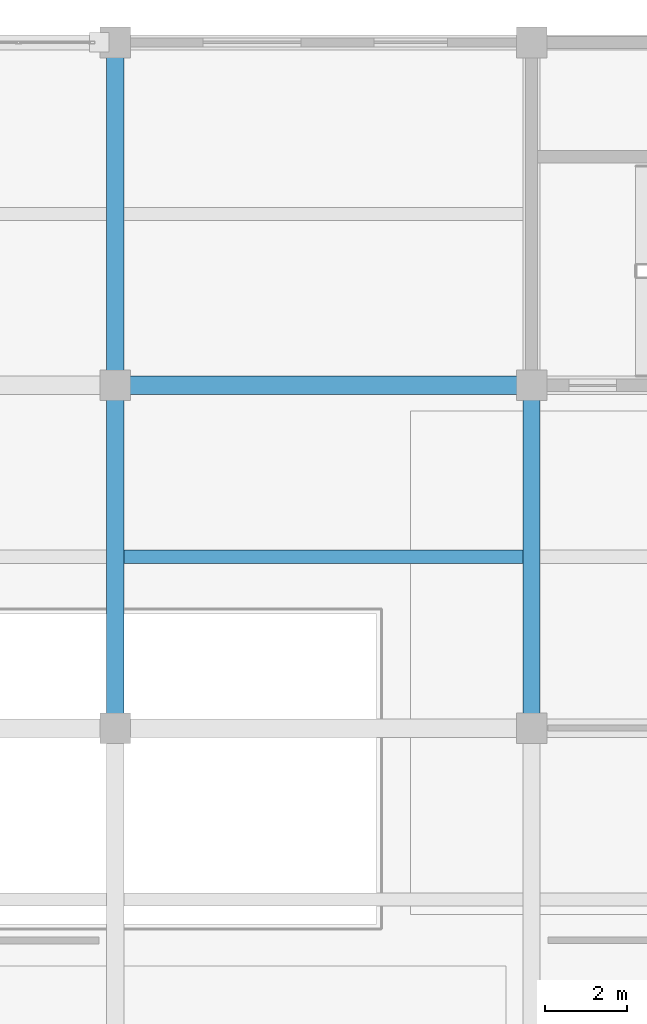
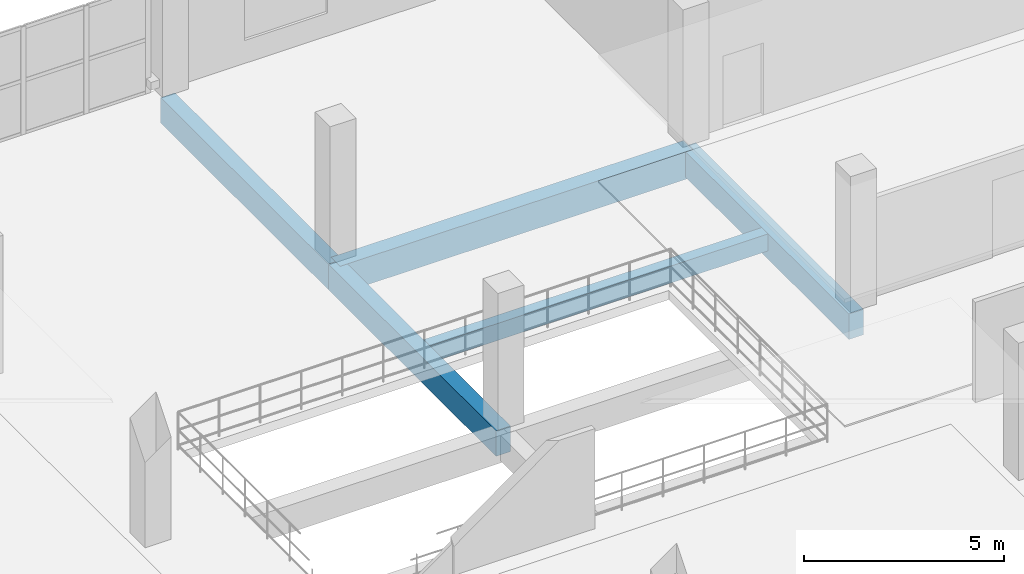
# One storey, part 96 of 157: 5 beams.
"""IFC4 building model written with IfcOpenShell, lengths in metres."""

import ifcopenshell
import ifcopenshell.guid

model = None  # the IFC model being written
_history = None  # IfcOwnerHistory: only IFC2X3 demands one
_inside = {}  # id of a spatial element -> (the spatial element, [elements in it])
_under = {}  # id of a project, library or spatial element -> (it, [spatial elements below it])
_declared = {}  # id of a project -> (the project, [libraries it declares])
_typed = {}  # id of a type object -> (the type object, [elements of that type])
_made_of = {}  # id of a material, layer set ... -> (it, [elements and type objects made of it])


def new_model(schema):
    """Start an empty IFC model of exactly this schema.

    Asked for "IFC4X3", IfcOpenShell would pick the latest addendum, in which some entities
    have other attributes; the version numbers below select the first issue.
    IFC2X3 requires an IfcOwnerHistory on every rooted entity: one is made here for all.
    """
    global model, _history
    if schema == "IFC4X3":
        model = ifcopenshell.file(schema_version=(4, 3, 0, 0))
    else:
        model = ifcopenshell.file(schema=schema)
    _inside.clear()
    _under.clear()
    _declared.clear()
    _typed.clear()
    _made_of.clear()
    _history = None
    if model.schema == "IFC2X3":
        org = make("IfcOrganization", Name="unknown")
        user = make(
            "IfcPersonAndOrganization",
            ThePerson=make("IfcPerson", FamilyName="unknown"),
            TheOrganization=org,
        )
        app = make(
            "IfcApplication",
            ApplicationDeveloper=org,
            Version="unknown",
            ApplicationFullName="unknown",
            ApplicationIdentifier="unknown",
        )
        _history = make(
            "IfcOwnerHistory",
            OwningUser=user,
            OwningApplication=app,
            ChangeAction="ADDED",
            CreationDate=0,
        )
    return model


def make(cls, **values):
    """One entity of the class cls with the attributes given. An attribute that is None is left unset."""
    return model.create_entity(
        cls, **{name: value for name, value in values.items() if value is not None}
    )


def rooted(cls, **values):
    """An entity with a GlobalId (a new one), such as an element, a storey or a relation."""
    return make(cls, GlobalId=ifcopenshell.guid.new(), OwnerHistory=_history, **values)


def si_unit(unit_type, name, prefix=None):
    """IfcSIUnit, for example si_unit("LENGTHUNIT", "METRE", prefix="MILLI")."""
    return make("IfcSIUnit", UnitType=unit_type, Prefix=prefix, Name=name)


def assignment(units):
    """IfcUnitAssignment: the units of a project."""
    return None if units is None else make("IfcUnitAssignment", Units=units)


def point(xyz):
    """IfcCartesianPoint."""
    return None if xyz is None else make("IfcCartesianPoint", Coordinates=xyz)


def direction(xyz):
    """IfcDirection."""
    return None if xyz is None else make("IfcDirection", DirectionRatios=xyz)


def frame(location, z_axis=None, x_axis=None):
    """IfcAxis2Placement3D, a coordinate frame: its origin and axes. An axis left out is left unset."""
    return make(
        "IfcAxis2Placement3D",
        Location=point(location),
        Axis=direction(z_axis),
        RefDirection=direction(x_axis),
    )


def frame_2d(location, x_axis=None):
    """IfcAxis2Placement2D, a coordinate frame in the plane: its origin and x axis."""
    return make(
        "IfcAxis2Placement2D", Location=point(location), RefDirection=direction(x_axis)
    )


def origin():
    """The frame at (0, 0, 0) with its axes left unset."""
    return frame((0.0, 0.0, 0.0))


def origin_2d():
    """The frame at (0, 0) in the plane with its x axis left unset."""
    return frame_2d((0.0, 0.0))


def place(relative_to, where):
    """IfcLocalPlacement: puts the frame where relative to a parent placement (None: the world)."""
    return make(
        "IfcLocalPlacement", PlacementRelTo=relative_to, RelativePlacement=where
    )


def context(
    kind, dimensions, precision=None, world=None, true_north=None, identifier=None
):
    """IfcGeometricRepresentationContext, for example the 3D "Model" context."""
    return make(
        "IfcGeometricRepresentationContext",
        ContextIdentifier=identifier,
        ContextType=kind,
        CoordinateSpaceDimension=dimensions,
        Precision=precision,
        WorldCoordinateSystem=world,
        TrueNorth=true_north,
    )


def subcontext(parent, identifier, kind, view, scale=None):
    """IfcGeometricRepresentationSubContext, for example "Body" below "Model"."""
    return make(
        "IfcGeometricRepresentationSubContext",
        ContextIdentifier=identifier,
        ContextType=kind,
        ParentContext=parent,
        TargetScale=scale,
        TargetView=view,
    )


def project(units=None, contexts=None):
    """IfcProject with its units and contexts."""
    return rooted(
        "IfcProject",
        Name="project",
        RepresentationContexts=contexts,
        UnitsInContext=assignment(units),
    )


def spatial(cls, under=None, at=None, **own):
    """A site, building, storey or space (cls), placed at a placement, below another one or the project."""
    s = rooted(cls, ObjectPlacement=at, **own)
    if under is not None:
        _under.setdefault(under.id(), (under, []))[1].append(s)
    return s


def profile(cls, at=None, kind="AREA", **sizes):
    """A parametric profile (cls). Its sizes go by their IFC names, for example OverallWidth=200.0."""
    return make(cls, ProfileType=kind, Position=at, **sizes)


def rectangle(**sizes):
    """IfcRectangleProfileDef."""
    return profile("IfcRectangleProfileDef", **sizes)


def extrude(swept, where, along, depth):
    """IfcExtrudedAreaSolid: the profile swept, set in the frame where, extruded along a direction by depth."""
    return make(
        "IfcExtrudedAreaSolid",
        SweptArea=swept,
        Position=where,
        ExtrudedDirection=direction(along),
        Depth=depth,
    )


def shape(context_of_items, identifier, shape_type, items):
    """IfcShapeRepresentation: the items that make up one representation, for example the "Body"."""
    return make(
        "IfcShapeRepresentation",
        ContextOfItems=context_of_items,
        RepresentationIdentifier=identifier,
        RepresentationType=shape_type,
        Items=items,
    )


def material(Name=None, Category=None):
    """IfcMaterial."""
    return make("IfcMaterial", Name=Name, Category=Category)


def material_profile(
    of_material, cross_section, Name=None, Category=None, Priority=None
):
    """IfcMaterialProfile: a cross section and its material."""
    return make(
        "IfcMaterialProfile",
        Name=Name,
        Material=of_material,
        Profile=cross_section,
        Priority=Priority,
        Category=Category,
    )


def profile_set(profiles, Name=None, composite=None):
    """IfcMaterialProfileSet."""
    return make(
        "IfcMaterialProfileSet",
        Name=Name,
        MaterialProfiles=profiles,
        CompositeProfile=composite,
    )


def made_of(thing, what):
    """Note that an element or type object is made of a material, layer set ...; save() writes the relation."""
    if what is not None:
        _made_of.setdefault(what.id(), (what, []))[1].append(thing)
    return thing


def type_object(cls, material=None, **own):
    """A type object (cls), such as IfcWallType, which elements share."""
    return made_of(rooted(cls, **own), material)


def element(
    cls,
    number,
    at=None,
    inside=None,
    cuts=None,
    type_object=None,
    material=None,
    context=None,
    identifier="Body",
    shape_type=None,
    held_by="IfcProductDefinitionShape",
    body=None,
    shapes=None,
    **own,
):
    """One element of the class cls, such as IfcWall. Its Tag is "e" and its number.

    at: its placement. inside: the storey or other place that contains it. cuts: it is an
    opening in that element (IfcRelVoidsElement). A single representation is given by context,
    identifier, shape_type and body (its items); several are given by shapes. held_by: the class
    of the entity that holds the representations. save() writes the other relations.
    """
    e = rooted(cls, Tag="e%d" % number, ObjectPlacement=at, **own)
    if body is not None:
        shapes = [shape(context, identifier, shape_type, body)]
    if shapes is not None:
        e.Representation = make(held_by, Representations=shapes)
    if inside is not None:
        _inside.setdefault(inside.id(), (inside, []))[1].append(e)
    if cuts is not None:
        rooted(
            "IfcRelVoidsElement", RelatingBuildingElement=cuts, RelatedOpeningElement=e
        )
    if type_object is not None:
        _typed.setdefault(type_object.id(), (type_object, []))[1].append(e)
    return made_of(e, material)


def aggregate(whole, parts):
    """IfcRelAggregates: a whole, such as a stair, and the parts it consists of."""
    return rooted("IfcRelAggregates", RelatingObject=whole, RelatedObjects=parts)


def save(model, path):
    """Write the relations noted so far, then the file.

    IfcRelAggregates (storeys below a building ...), IfcRelContainedInSpatialStructure (elements
    in a storey), IfcRelDefinesByType, IfcRelAssociatesMaterial and IfcRelDeclares: one each for
    every whole, place, type object, material and project.
    """
    for whole, parts in _under.values():
        aggregate(whole, parts)
    for where, things in _inside.values():
        rooted(
            "IfcRelContainedInSpatialStructure",
            RelatedElements=things,
            RelatingStructure=where,
        )
    for kind, things in _typed.values():
        rooted("IfcRelDefinesByType", RelatedObjects=things, RelatingType=kind)
    for what, things in _made_of.values():
        rooted("IfcRelAssociatesMaterial", RelatedObjects=things, RelatingMaterial=what)
    for by, libraries in _declared.values():
        rooted("IfcRelDeclares", RelatingContext=by, RelatedDefinitions=libraries)
    model.write(path)


model = new_model("IFC4")

# Units and contexts
model_context = context("Model", 3, precision=1e-05, world=origin(), true_north=direction((0.0, 1.0)))
body_context = subcontext(model_context, "Body", "Model", "MODEL_VIEW")
ifc_project = project(units=[si_unit("LENGTHUNIT", "METRE"), si_unit("AREAUNIT", "SQUARE_METRE"), si_unit("VOLUMEUNIT", "CUBIC_METRE"), si_unit("PLANEANGLEUNIT", "RADIAN"), si_unit("MASSUNIT", "GRAM", prefix="KILO")], contexts=[model_context])

# Site, building, storey
site_placement = place(None, origin())
site = spatial("IfcSite", under=ifc_project, at=site_placement, CompositionType="ELEMENT")
building_placement = place(site_placement, origin())
building = spatial("IfcBuilding", under=site, at=building_placement, Name="Brelvane Convention Centre", CompositionType="ELEMENT")
storey_placement = place(building_placement, frame((0.0, 0.0, 10.800048828125)))
storey = spatial("IfcBuildingStorey", under=building, at=storey_placement, Name="L02", CompositionType="ELEMENT", Elevation=10.800048828125)

# Beams
ifc_material_1 = material(Name="Concrete M40", Category="concrete")
ifc_material_profile_1 = material_profile(ifc_material_1, rectangle(XDim=0.4599609375, YDim=0.840087890625, at=origin_2d()), Name="RC 460x840")
ifc_profile_set_1 = profile_set([ifc_material_profile_1], Name="Concrete M40")
beam_type_1 = type_object("IfcBeamType", Name="RC Beam B-RC11 (RC 460x840)", PredefinedType="BEAM", material=ifc_profile_set_1)
beam_1_placement = place(storey_placement, frame((81.60009765625, 135.60009765625, -0.699951171875), z_axis=(1.0, 0.0, 0.0), x_axis=(0.0, 1.0, 0.0)))
element("IfcBeam", 1, at=beam_1_placement, inside=storey, type_object=beam_type_1, Name="L02 Beam 9-10/P", PredefinedType="BEAM", context=body_context, shape_type="SweptSolid", body=[
    extrude(rectangle(XDim=0.4599609375, YDim=0.840087890625, at=origin_2d()), origin(), (0.0, 0.0, 1.0), 10.199951171875),
])
ifc_material_2 = material(Name="Concrete M40", Category="concrete")
ifc_material_profile_2 = material_profile(ifc_material_2, rectangle(XDim=0.419921875, YDim=0.780029296875, at=origin_2d()), Name="RC 420x780")
ifc_profile_set_2 = profile_set([ifc_material_profile_2], Name="Concrete M40")
beam_type_2 = type_object("IfcBeamType", Name="RC Beam B-RC12 (RC 420x780)", PredefinedType="BEAM", material=ifc_profile_set_2)
beam_2_placement = place(storey_placement, frame((81.60009765625, 127.199951171875, -0.670166015625), z_axis=(0.0, 1.0, 0.0), x_axis=(-1.0, 0.0, 0.0)))
element("IfcBeam", 2, at=beam_2_placement, inside=storey, type_object=beam_type_2, Name="L02 Girder 9/N-P", PredefinedType="BEAM", context=body_context, shape_type="SweptSolid", body=[
    extrude(rectangle(XDim=0.419921875, YDim=0.780029296875, at=origin_2d()), origin(), (0.0, 0.0, 1.0), 8.400146484375),
])
beam_3_placement = place(storey_placement, frame((81.60009765625, 135.60009765625, -0.670166015625), z_axis=(0.0, 1.0, 0.0), x_axis=(-1.0, 0.0, 0.0)))
element("IfcBeam", 3, at=beam_3_placement, inside=storey, type_object=beam_type_2, Name="L02 Girder 9/P-Q", PredefinedType="BEAM", context=body_context, shape_type="SweptSolid", body=[
    extrude(rectangle(XDim=0.419921875, YDim=0.780029296875, at=origin_2d()), origin(), (0.0, 0.0, 1.0), 8.39990234375),
])
beam_4_placement = place(storey_placement, frame((91.800048828125, 127.199951171875, -0.670166015625), z_axis=(0.0, 1.0, 0.0), x_axis=(-1.0, 0.0, 0.0)))
element("IfcBeam", 4, at=beam_4_placement, inside=storey, type_object=beam_type_2, Name="L02 Girder 10/N-P", PredefinedType="BEAM", context=body_context, shape_type="SweptSolid", body=[
    extrude(rectangle(XDim=0.419921875, YDim=0.780029296875, at=origin_2d()), origin(), (0.0, 0.0, 1.0), 8.400146484375),
])
ifc_material_3 = material(Name="Concrete M40", Category="concrete")
ifc_material_profile_3 = material_profile(ifc_material_3, rectangle(XDim=0.320068359375, YDim=0.52001953125, at=origin_2d()), Name="RC 320x520")
ifc_profile_set_3 = profile_set([ifc_material_profile_3], Name="Concrete M40")
beam_type_3 = type_object("IfcBeamType", Name="RC Joist J-RC4 (RC 320x520)", PredefinedType="JOIST", material=ifc_profile_set_3)
beam_5_placement = place(storey_placement, frame((81.81005859375, 131.39990234375, -0.5400390625), z_axis=(1.0, 0.0, 0.0), x_axis=(0.0, 1.0, 0.0)))
element("IfcBeam", 5, at=beam_5_placement, inside=storey, type_object=beam_type_3, Name="L02 Secondary Joist 9-10/NP", PredefinedType="JOIST", context=body_context, shape_type="SweptSolid", body=[
    extrude(rectangle(XDim=0.320068359375, YDim=0.52001953125, at=origin_2d()), origin(), (0.0, 0.0, 1.0), 9.780029296875),
])

save(model, "model.ifc")
